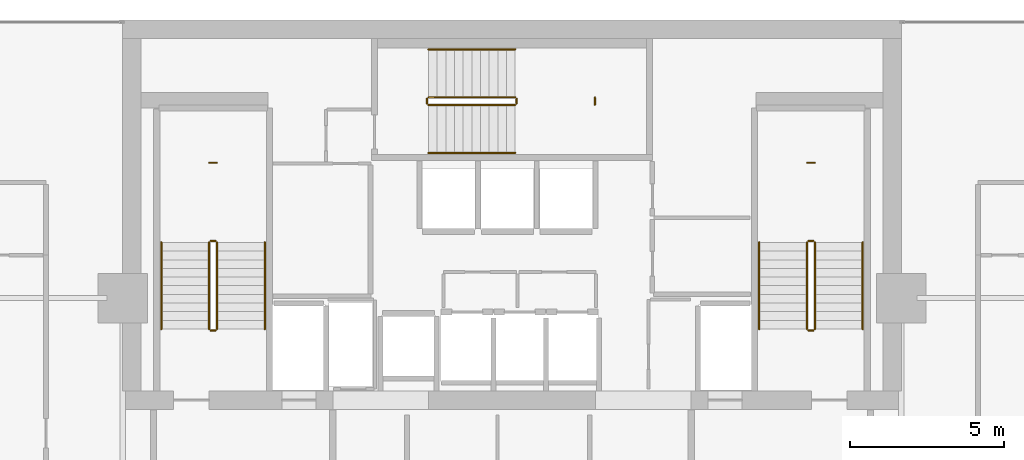
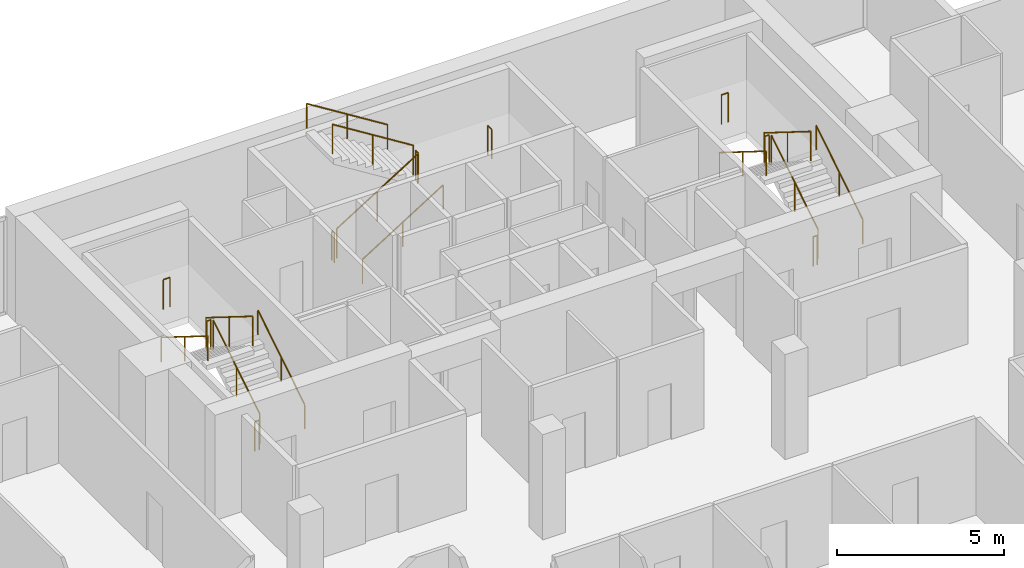
# One storey, part 26 of 26: 21 railings.
"""IFC4 building model written with IfcOpenShell, lengths in metres."""

from ifc_helpers import new_model, si_unit, direction, frame, origin, origin_2d, place, context, subcontext, project, spatial, circle, extrude, material, type_object, element, save


model = new_model("IFC4")

# Units and contexts
model_context = context("Model", 3, precision=1e-05, world=origin(), true_north=direction((0.0, 1.0)))
body_context = subcontext(model_context, "Body", "Model", "MODEL_VIEW")
ifc_project = project(units=[si_unit("LENGTHUNIT", "METRE"), si_unit("AREAUNIT", "SQUARE_METRE"), si_unit("VOLUMEUNIT", "CUBIC_METRE"), si_unit("PLANEANGLEUNIT", "RADIAN"), si_unit("MASSUNIT", "GRAM", prefix="KILO")], contexts=[model_context])

# Site, building, storey
site_placement = place(None, origin())
site = spatial("IfcSite", under=ifc_project, at=site_placement, CompositionType="ELEMENT")
building_placement = place(site_placement, origin())
building = spatial("IfcBuilding", under=site, at=building_placement, Name="Maruvema Waterfront Hotel and Observation Tower", CompositionType="ELEMENT")
storey_placement = place(building_placement, frame((0.0, 0.0, 312.550048828125)))
storey = spatial("IfcBuildingStorey", under=building, at=storey_placement, Name="L77", CompositionType="ELEMENT", Elevation=312.550048828125)

# Railings
ifc_material_1 = material(Name="Brushed stainless steel Grade 316", Category="steel")
railing_type_1 = type_object("IfcRailingType", Name="Ramp Continuous Wall Handrail 920 mm", PredefinedType="HANDRAIL", material=ifc_material_1)
railing_1_placement = place(storey_placement, frame((29.800048828125, 44.0, 0.175048828125)))
element("IfcRailing", 1, at=railing_1_placement, inside=storey, type_object=railing_type_1, Name="L77 ST-01 stair handrail 1", PredefinedType="HANDRAIL", context=body_context, shape_type="SweptSolid", body=[
    extrude(circle(Radius=0.02392578125, at=origin_2d()), frame((0.0, 0.0, 0.89599609375), z_axis=(0.0, 0.848002457836, 0.529992293815), x_axis=(-1.0, 0.0, 0.0)), (0.0, 0.0, 1.0), 3.302001953125),
    extrude(circle(Radius=0.02099609375, at=origin_2d()), origin(), (0.0, 0.0, 1.0), 0.871826171875),
    extrude(circle(Radius=0.02099609375, at=origin_2d()), frame((0.0, 1.39990234375, 0.875)), (0.0, 0.0, 1.0), 0.871826171875),
    extrude(circle(Radius=0.02099609375, at=origin_2d()), frame((0.0, 2.800048828125, 1.75)), (0.0, 0.0, 1.0), 0.871826171875),
])
railing_2_placement = place(storey_placement, frame((26.449951171875, 46.800048828125, 2.099853515625)))
element("IfcRailing", 2, at=railing_2_placement, inside=storey, type_object=railing_type_1, Name="L77 ST-01 stair handrail 2", PredefinedType="HANDRAIL", context=body_context, shape_type="SweptSolid", body=[
    extrude(circle(Radius=0.02392578125, at=origin_2d()), frame((0.0, 0.0, 0.89599609375), z_axis=(0.0, -0.848002457836, 0.529992293815), x_axis=(1.0, 0.0, 0.0)), (0.0, 0.0, 1.0), 3.302001953125),
    extrude(circle(Radius=0.02099609375, at=origin_2d()), origin(), (0.0, 0.0, 1.0), 0.871826171875),
    extrude(circle(Radius=0.02099609375, at=origin_2d()), frame((0.0, -1.39990234375, 0.875)), (0.0, 0.0, 1.0), 0.871826171875),
    extrude(circle(Radius=0.02099609375, at=origin_2d()), frame((0.0, -2.800048828125, 1.75)), (0.0, 0.0, 1.0), 0.871826171875),
])
railing_3_placement = place(storey_placement, frame((35.10009765625, 49.699951171875, 0.175048828125)))
element("IfcRailing", 3, at=railing_3_placement, inside=storey, type_object=railing_type_1, Name="L77 ST-02 stair handrail 1", PredefinedType="HANDRAIL", context=body_context, shape_type="SweptSolid", body=[
    extrude(circle(Radius=0.02392578125, at=origin_2d()), frame((0.0, 0.0, 0.89599609375), z_axis=(0.847981687118, 0.0, 0.530025526095), x_axis=(0.0, 1.0, 0.0)), (0.0, 0.0, 1.0), 3.3017578125),
    extrude(circle(Radius=0.02099609375, at=origin_2d()), origin(), (0.0, 0.0, 1.0), 0.871826171875),
    extrude(circle(Radius=0.02099609375, at=origin_2d()), frame((1.39990234375, 0.0, 0.875)), (0.0, 0.0, 1.0), 0.871826171875),
    extrude(circle(Radius=0.02099609375, at=origin_2d()), frame((2.7998046875, 0.0, 1.75)), (0.0, 0.0, 1.0), 0.871826171875),
])
railing_4_placement = place(storey_placement, frame((37.89990234375, 53.050048828125, 2.099853515625)))
element("IfcRailing", 4, at=railing_4_placement, inside=storey, type_object=railing_type_1, Name="L77 ST-02 stair handrail 2", PredefinedType="HANDRAIL", context=body_context, shape_type="SweptSolid", body=[
    extrude(circle(Radius=0.02392578125, at=origin_2d()), frame((0.0, 0.0, 0.89599609375), z_axis=(-0.847981687118, 0.0, 0.530025526095), x_axis=(0.0, -1.0, 0.0)), (0.0, 0.0, 1.0), 3.3017578125),
    extrude(circle(Radius=0.02099609375, at=origin_2d()), origin(), (0.0, 0.0, 1.0), 0.871826171875),
    extrude(circle(Radius=0.02099609375, at=origin_2d()), frame((-1.39990234375, 0.0, 0.875)), (0.0, 0.0, 1.0), 0.871826171875),
    extrude(circle(Radius=0.02099609375, at=origin_2d()), frame((-2.7998046875, 0.0, 1.75)), (0.0, 0.0, 1.0), 0.871826171875),
])
railing_5_placement = place(storey_placement, frame((49.14990234375, 44.0, 0.175048828125)))
element("IfcRailing", 5, at=railing_5_placement, inside=storey, type_object=railing_type_1, Name="L77 ST-03 stair handrail 1", PredefinedType="HANDRAIL", context=body_context, shape_type="SweptSolid", body=[
    extrude(circle(Radius=0.02392578125, at=origin_2d()), frame((0.0, 0.0, 0.89599609375), z_axis=(0.0, 0.848002457836, 0.529992293815), x_axis=(-1.0, 0.0, 0.0)), (0.0, 0.0, 1.0), 3.302001953125),
    extrude(circle(Radius=0.02099609375, at=origin_2d()), origin(), (0.0, 0.0, 1.0), 0.871826171875),
    extrude(circle(Radius=0.02099609375, at=origin_2d()), frame((0.0, 1.39990234375, 0.875)), (0.0, 0.0, 1.0), 0.871826171875),
    extrude(circle(Radius=0.02099609375, at=origin_2d()), frame((0.0, 2.800048828125, 1.75)), (0.0, 0.0, 1.0), 0.871826171875),
])
railing_6_placement = place(storey_placement, frame((45.800048828125, 46.800048828125, 2.099853515625)))
element("IfcRailing", 6, at=railing_6_placement, inside=storey, type_object=railing_type_1, Name="L77 ST-03 stair handrail 2", PredefinedType="HANDRAIL", context=body_context, shape_type="SweptSolid", body=[
    extrude(circle(Radius=0.02392578125, at=origin_2d()), frame((0.0, 0.0, 0.89599609375), z_axis=(0.0, -0.848002457836, 0.529992293815), x_axis=(1.0, 0.0, 0.0)), (0.0, 0.0, 1.0), 3.302001953125),
    extrude(circle(Radius=0.02099609375, at=origin_2d()), origin(), (0.0, 0.0, 1.0), 0.871826171875),
    extrude(circle(Radius=0.02099609375, at=origin_2d()), frame((0.0, -1.39990234375, 0.875)), (0.0, 0.0, 1.0), 0.871826171875),
    extrude(circle(Radius=0.02099609375, at=origin_2d()), frame((0.0, -2.800048828125, 1.75)), (0.0, 0.0, 1.0), 0.871826171875),
])
ifc_material_2 = material(Name="Brushed stainless steel Grade 316", Category="steel")
railing_type_2 = type_object("IfcRailingType", Name="Ramp and Terrace Guard Balustrade 1100 mm", PredefinedType="BALUSTRADE", material=ifc_material_2)
railing_7_placement = place(storey_placement, frame((28.25, 44.0, 0.175048828125)))
element("IfcRailing", 7, at=railing_7_placement, inside=storey, type_object=railing_type_2, Name="L77 ST-01 stair guard 1", PredefinedType="BALUSTRADE", context=body_context, shape_type="SweptSolid", body=[
    extrude(circle(Radius=0.02392578125, at=origin_2d()), frame((0.0, 0.0, 1.076171875), z_axis=(0.0, 0.848002457836, 0.529992293815), x_axis=(-1.0, 0.0, 0.0)), (0.0, 0.0, 1.0), 3.302001953125),
    extrude(circle(Radius=0.02099609375, at=origin_2d()), origin(), (0.0, 0.0, 1.0), 1.052001953125),
    extrude(circle(Radius=0.02099609375, at=origin_2d()), frame((0.0, 1.39990234375, 0.875)), (0.0, 0.0, 1.0), 1.052001953125),
    extrude(circle(Radius=0.02099609375, at=origin_2d()), frame((0.0, 2.800048828125, 1.75)), (0.0, 0.0, 1.0), 1.052001953125),
])
railing_8_placement = place(storey_placement, frame((28.199951171875, 46.85009765625, 1.925048828125)))
element("IfcRailing", 8, at=railing_8_placement, inside=storey, type_object=railing_type_2, Name="L77 ST-01 stair guard 2", PredefinedType="BALUSTRADE", context=body_context, shape_type="SweptSolid", body=[
    extrude(circle(Radius=0.02392578125, at=origin_2d()), frame((0.0, 0.0, 1.076171875), z_axis=(-1.0, 0.0, 0.0), x_axis=(0.0, -1.0, 0.0)), (0.0, 0.0, 1.0), 0.14990234375),
    extrude(circle(Radius=0.02099609375, at=origin_2d()), origin(), (0.0, 0.0, 1.0), 1.052001953125),
    extrude(circle(Radius=0.02099609375, at=origin_2d()), frame((-0.14990234375, 0.0, 0.0)), (0.0, 0.0, 1.0), 1.052001953125),
])
railing_9_placement = place(storey_placement, frame((28.0, 46.800048828125, 2.099853515625)))
element("IfcRailing", 9, at=railing_9_placement, inside=storey, type_object=railing_type_2, Name="L77 ST-01 stair guard 3", PredefinedType="BALUSTRADE", context=body_context, shape_type="SweptSolid", body=[
    extrude(circle(Radius=0.02392578125, at=origin_2d()), frame((0.0, 0.0, 1.076171875), z_axis=(0.0, -0.848002457836, 0.529992293815), x_axis=(1.0, 0.0, 0.0)), (0.0, 0.0, 1.0), 3.302001953125),
    extrude(circle(Radius=0.02099609375, at=origin_2d()), origin(), (0.0, 0.0, 1.0), 1.052001953125),
    extrude(circle(Radius=0.02099609375, at=origin_2d()), frame((0.0, -1.39990234375, 0.875)), (0.0, 0.0, 1.0), 1.052001953125),
    extrude(circle(Radius=0.02099609375, at=origin_2d()), frame((0.0, -2.800048828125, 1.75)), (0.0, 0.0, 1.0), 1.052001953125),
])
railing_10_placement = place(storey_placement, frame((28.199951171875, 43.949951171875, 0.0)))
element("IfcRailing", 10, at=railing_10_placement, inside=storey, type_object=railing_type_2, Name="L77 ST-01 stair guard 4", PredefinedType="BALUSTRADE", context=body_context, shape_type="SweptSolid", body=[
    extrude(circle(Radius=0.02392578125, at=origin_2d()), frame((0.0, 0.0, 1.076171875), z_axis=(-1.0, 0.0, 0.0), x_axis=(0.0, -1.0, 0.0)), (0.0, 0.0, 1.0), 0.14990234375),
    extrude(circle(Radius=0.02099609375, at=origin_2d()), origin(), (0.0, 0.0, 1.0), 1.052001953125),
    extrude(circle(Radius=0.02099609375, at=origin_2d()), frame((-0.14990234375, 0.0, 0.0)), (0.0, 0.0, 1.0), 1.052001953125),
])
railing_11_placement = place(storey_placement, frame((28.239990234375, 49.3798828125, 1.925048828125)))
element("IfcRailing", 11, at=railing_11_placement, inside=storey, type_object=railing_type_2, Name="L77 ST-01 Half-Landing Slot Guard", PredefinedType="BALUSTRADE", context=body_context, shape_type="SweptSolid", body=[
    extrude(circle(Radius=0.02392578125, at=origin_2d()), frame((0.0, 0.0, 1.076171875), z_axis=(-1.0, 0.0, 0.0), x_axis=(0.0, -1.0, 0.0)), (0.0, 0.0, 1.0), 0.22998046875),
    extrude(circle(Radius=0.02099609375, at=origin_2d()), origin(), (0.0, 0.0, 1.0), 1.052001953125),
    extrude(circle(Radius=0.02099609375, at=origin_2d()), frame((-0.22998046875, 0.0, 0.0)), (0.0, 0.0, 1.0), 1.052001953125),
])
railing_12_placement = place(storey_placement, frame((35.10009765625, 51.25, 0.175048828125)))
element("IfcRailing", 12, at=railing_12_placement, inside=storey, type_object=railing_type_2, Name="L77 ST-02 stair guard 1", PredefinedType="BALUSTRADE", context=body_context, shape_type="SweptSolid", body=[
    extrude(circle(Radius=0.02392578125, at=origin_2d()), frame((0.0, 0.0, 1.076171875), z_axis=(0.847981687118, 0.0, 0.530025526095), x_axis=(0.0, 1.0, 0.0)), (0.0, 0.0, 1.0), 3.3017578125),
    extrude(circle(Radius=0.02099609375, at=origin_2d()), origin(), (0.0, 0.0, 1.0), 1.052001953125),
    extrude(circle(Radius=0.02099609375, at=origin_2d()), frame((1.39990234375, 0.0, 0.875)), (0.0, 0.0, 1.0), 1.052001953125),
    extrude(circle(Radius=0.02099609375, at=origin_2d()), frame((2.7998046875, 0.0, 1.75)), (0.0, 0.0, 1.0), 1.052001953125),
])
railing_13_placement = place(storey_placement, frame((37.949951171875, 51.300048828125, 1.925048828125)))
element("IfcRailing", 13, at=railing_13_placement, inside=storey, type_object=railing_type_2, Name="L77 ST-02 stair guard 2", PredefinedType="BALUSTRADE", context=body_context, shape_type="SweptSolid", body=[
    extrude(circle(Radius=0.02392578125, at=origin_2d()), frame((0.0, 0.0, 1.076171875), z_axis=(0.0, 1.0, 0.0), x_axis=(-1.0, 0.0, 0.0)), (0.0, 0.0, 1.0), 0.14990234375),
    extrude(circle(Radius=0.02099609375, at=origin_2d()), origin(), (0.0, 0.0, 1.0), 1.052001953125),
    extrude(circle(Radius=0.02099609375, at=origin_2d()), frame((0.0, 0.14990234375, 0.0)), (0.0, 0.0, 1.0), 1.052001953125),
])
railing_14_placement = place(storey_placement, frame((37.89990234375, 51.5, 2.099853515625)))
element("IfcRailing", 14, at=railing_14_placement, inside=storey, type_object=railing_type_2, Name="L77 ST-02 stair guard 3", PredefinedType="BALUSTRADE", context=body_context, shape_type="SweptSolid", body=[
    extrude(circle(Radius=0.02392578125, at=origin_2d()), frame((0.0, 0.0, 1.076171875), z_axis=(-0.847981687118, 0.0, 0.530025526095), x_axis=(0.0, -1.0, 0.0)), (0.0, 0.0, 1.0), 3.3017578125),
    extrude(circle(Radius=0.02099609375, at=origin_2d()), origin(), (0.0, 0.0, 1.0), 1.052001953125),
    extrude(circle(Radius=0.02099609375, at=origin_2d()), frame((-1.39990234375, 0.0, 0.875)), (0.0, 0.0, 1.0), 1.052001953125),
    extrude(circle(Radius=0.02099609375, at=origin_2d()), frame((-2.7998046875, 0.0, 1.75)), (0.0, 0.0, 1.0), 1.052001953125),
])
railing_15_placement = place(storey_placement, frame((35.050048828125, 51.300048828125, 0.0)))
element("IfcRailing", 15, at=railing_15_placement, inside=storey, type_object=railing_type_2, Name="L77 ST-02 stair guard 4", PredefinedType="BALUSTRADE", context=body_context, shape_type="SweptSolid", body=[
    extrude(circle(Radius=0.02392578125, at=origin_2d()), frame((0.0, 0.0, 1.076171875), z_axis=(0.0, 1.0, 0.0), x_axis=(-1.0, 0.0, 0.0)), (0.0, 0.0, 1.0), 0.14990234375),
    extrude(circle(Radius=0.02099609375, at=origin_2d()), origin(), (0.0, 0.0, 1.0), 1.052001953125),
    extrude(circle(Radius=0.02099609375, at=origin_2d()), frame((0.0, 0.14990234375, 0.0)), (0.0, 0.0, 1.0), 1.052001953125),
])
railing_16_placement = place(storey_placement, frame((40.47998046875, 51.260009765625, 1.925048828125)))
element("IfcRailing", 16, at=railing_16_placement, inside=storey, type_object=railing_type_2, Name="L77 ST-02 Half-Landing Slot Guard", PredefinedType="BALUSTRADE", context=body_context, shape_type="SweptSolid", body=[
    extrude(circle(Radius=0.02392578125, at=origin_2d()), frame((0.0, 0.0, 1.076171875), z_axis=(0.0, 1.0, 0.0), x_axis=(-1.0, 0.0, 0.0)), (0.0, 0.0, 1.0), 0.22998046875),
    extrude(circle(Radius=0.02099609375, at=origin_2d()), origin(), (0.0, 0.0, 1.0), 1.052001953125),
    extrude(circle(Radius=0.02099609375, at=origin_2d()), frame((0.0, 0.22998046875, 0.0)), (0.0, 0.0, 1.0), 1.052001953125),
])
railing_17_placement = place(storey_placement, frame((47.60009765625, 44.0, 0.175048828125)))
element("IfcRailing", 17, at=railing_17_placement, inside=storey, type_object=railing_type_2, Name="L77 ST-03 stair guard 1", PredefinedType="BALUSTRADE", context=body_context, shape_type="SweptSolid", body=[
    extrude(circle(Radius=0.02392578125, at=origin_2d()), frame((0.0, 0.0, 1.076171875), z_axis=(0.0, 0.848002457836, 0.529992293815), x_axis=(-1.0, 0.0, 0.0)), (0.0, 0.0, 1.0), 3.302001953125),
    extrude(circle(Radius=0.02099609375, at=origin_2d()), origin(), (0.0, 0.0, 1.0), 1.052001953125),
    extrude(circle(Radius=0.02099609375, at=origin_2d()), frame((0.0, 1.39990234375, 0.875)), (0.0, 0.0, 1.0), 1.052001953125),
    extrude(circle(Radius=0.02099609375, at=origin_2d()), frame((0.0, 2.800048828125, 1.75)), (0.0, 0.0, 1.0), 1.052001953125),
])
railing_18_placement = place(storey_placement, frame((47.550048828125, 46.85009765625, 1.925048828125)))
element("IfcRailing", 18, at=railing_18_placement, inside=storey, type_object=railing_type_2, Name="L77 ST-03 stair guard 2", PredefinedType="BALUSTRADE", context=body_context, shape_type="SweptSolid", body=[
    extrude(circle(Radius=0.02392578125, at=origin_2d()), frame((0.0, 0.0, 1.076171875), z_axis=(-1.0, 0.0, 0.0), x_axis=(0.0, -1.0, 0.0)), (0.0, 0.0, 1.0), 0.150146484375),
    extrude(circle(Radius=0.02099609375, at=origin_2d()), origin(), (0.0, 0.0, 1.0), 1.052001953125),
    extrude(circle(Radius=0.02099609375, at=origin_2d()), frame((-0.150146484375, 0.0, 0.0)), (0.0, 0.0, 1.0), 1.052001953125),
])
railing_19_placement = place(storey_placement, frame((47.35009765625, 46.800048828125, 2.099853515625)))
element("IfcRailing", 19, at=railing_19_placement, inside=storey, type_object=railing_type_2, Name="L77 ST-03 stair guard 3", PredefinedType="BALUSTRADE", context=body_context, shape_type="SweptSolid", body=[
    extrude(circle(Radius=0.02392578125, at=origin_2d()), frame((0.0, 0.0, 1.076171875), z_axis=(0.0, -0.848002457836, 0.529992293815), x_axis=(1.0, 0.0, 0.0)), (0.0, 0.0, 1.0), 3.302001953125),
    extrude(circle(Radius=0.02099609375, at=origin_2d()), origin(), (0.0, 0.0, 1.0), 1.052001953125),
    extrude(circle(Radius=0.02099609375, at=origin_2d()), frame((0.0, -1.39990234375, 0.875)), (0.0, 0.0, 1.0), 1.052001953125),
    extrude(circle(Radius=0.02099609375, at=origin_2d()), frame((0.0, -2.800048828125, 1.75)), (0.0, 0.0, 1.0), 1.052001953125),
])
railing_20_placement = place(storey_placement, frame((47.550048828125, 43.949951171875, 0.0)))
element("IfcRailing", 20, at=railing_20_placement, inside=storey, type_object=railing_type_2, Name="L77 ST-03 stair guard 4", PredefinedType="BALUSTRADE", context=body_context, shape_type="SweptSolid", body=[
    extrude(circle(Radius=0.02392578125, at=origin_2d()), frame((0.0, 0.0, 1.076171875), z_axis=(-1.0, 0.0, 0.0), x_axis=(0.0, -1.0, 0.0)), (0.0, 0.0, 1.0), 0.150146484375),
    extrude(circle(Radius=0.02099609375, at=origin_2d()), origin(), (0.0, 0.0, 1.0), 1.052001953125),
    extrude(circle(Radius=0.02099609375, at=origin_2d()), frame((-0.150146484375, 0.0, 0.0)), (0.0, 0.0, 1.0), 1.052001953125),
])
railing_21_placement = place(storey_placement, frame((47.590087890625, 49.3798828125, 1.925048828125)))
element("IfcRailing", 21, at=railing_21_placement, inside=storey, type_object=railing_type_2, Name="L77 ST-03 Half-Landing Slot Guard", PredefinedType="BALUSTRADE", context=body_context, shape_type="SweptSolid", body=[
    extrude(circle(Radius=0.02392578125, at=origin_2d()), frame((0.0, 0.0, 1.076171875), z_axis=(-1.0, 0.0, 0.0), x_axis=(0.0, -1.0, 0.0)), (0.0, 0.0, 1.0), 0.22998046875),
    extrude(circle(Radius=0.02099609375, at=origin_2d()), origin(), (0.0, 0.0, 1.0), 1.052001953125),
    extrude(circle(Radius=0.02099609375, at=origin_2d()), frame((-0.22998046875, 0.0, 0.0)), (0.0, 0.0, 1.0), 1.052001953125),
])

save(model, "model.ifc")
